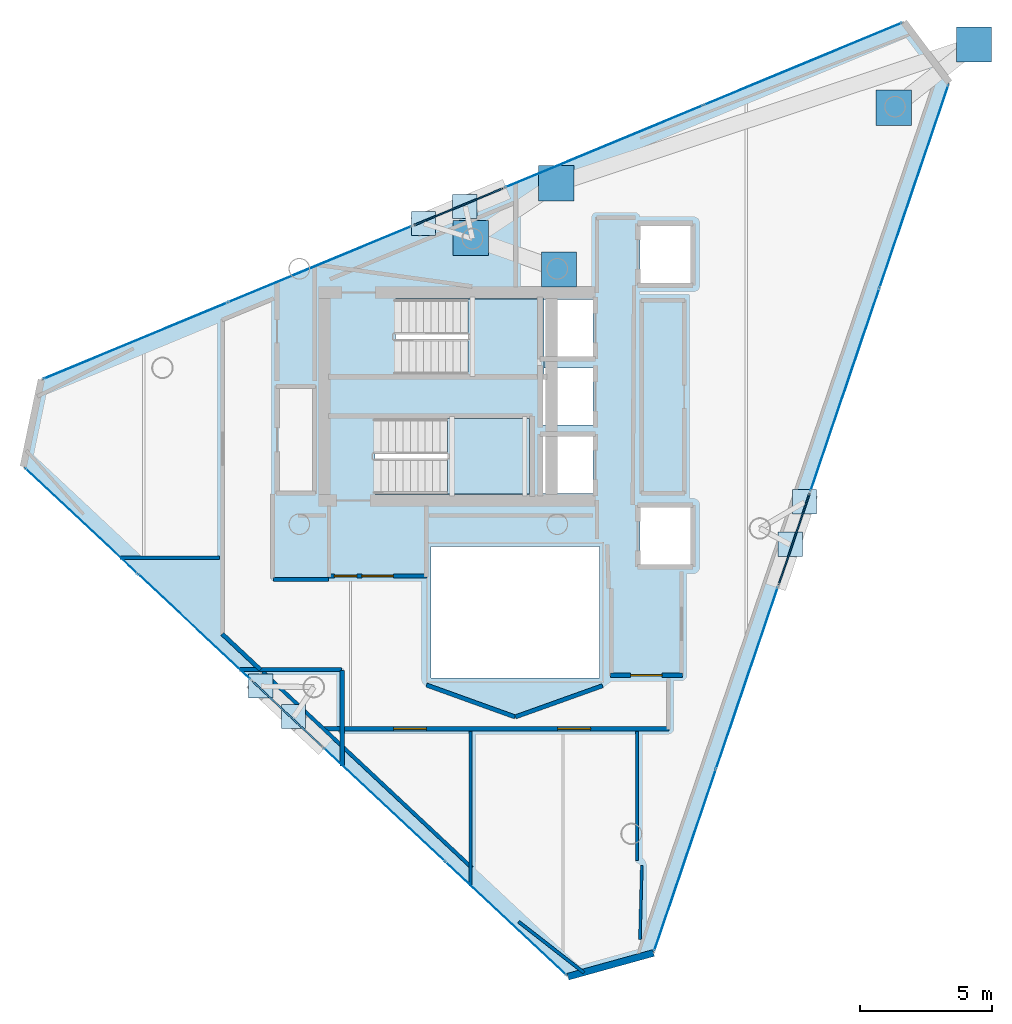
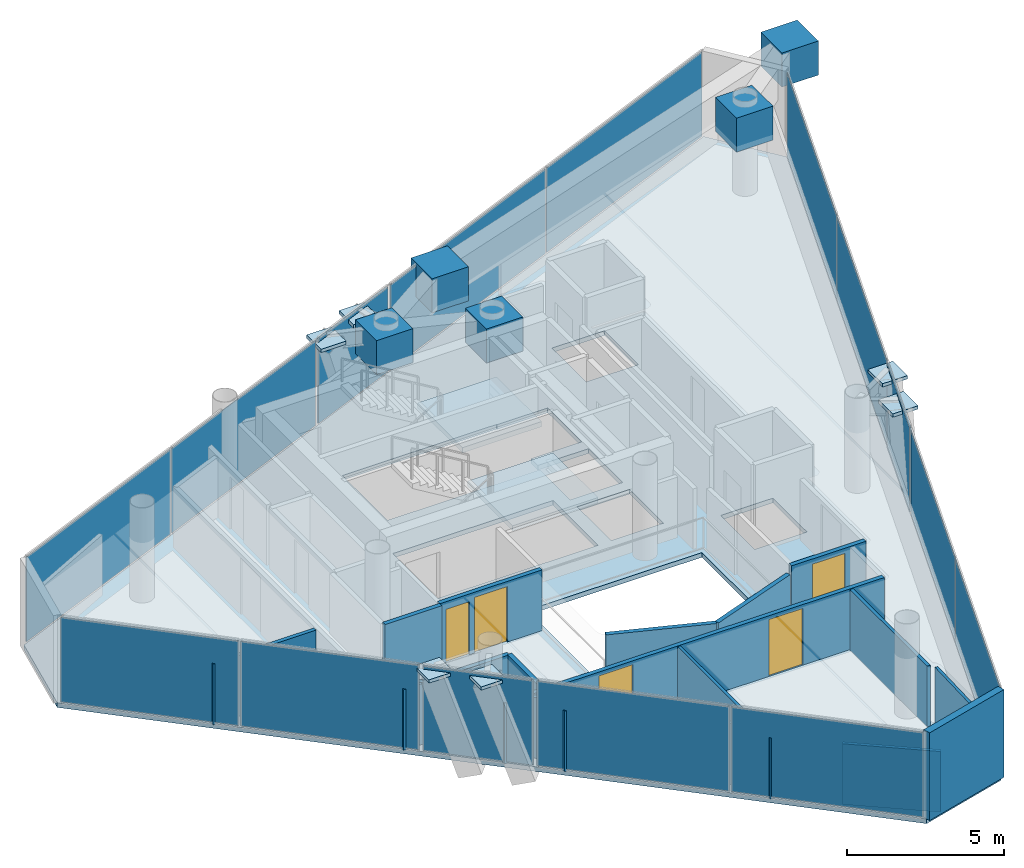
# One storey, part 14 of 18: 26 plates, 16 walls, 5 doors, 3 slabs, 5 openings, 11 elements without a shape of their own.
"""IFC4 building model written with IfcOpenShell, lengths in metres."""

from ifc_helpers import new_model, si_unit, direction, frame, frame_2d, origin, origin_2d, place, context, subcontext, project, spatial, polyline, rectangle, outline, extrude, material, layer, layer_set, type_object, element, fill, aggregate, save


model = new_model("IFC4")

# Units and contexts
model_context = context("Model", 3, precision=1e-05, world=origin(), true_north=direction((0.0, 1.0)))
body_context = subcontext(model_context, "Body", "Model", "MODEL_VIEW")
ifc_project = project(units=[si_unit("LENGTHUNIT", "METRE"), si_unit("AREAUNIT", "SQUARE_METRE"), si_unit("VOLUMEUNIT", "CUBIC_METRE"), si_unit("PLANEANGLEUNIT", "RADIAN"), si_unit("MASSUNIT", "GRAM", prefix="KILO")], contexts=[model_context])

# Site, building, storey
site_placement = place(None, origin())
site = spatial("IfcSite", under=ifc_project, at=site_placement, CompositionType="ELEMENT")
building_placement = place(site_placement, origin())
building = spatial("IfcBuilding", under=site, at=building_placement, Name="Qianvela Tower", CompositionType="ELEMENT")
storey_placement = place(building_placement, frame((0.0, 0.0, 348.10009765625)))
storey = spatial("IfcBuildingStorey", under=building, at=storey_placement, Name="L90", CompositionType="ELEMENT", Elevation=348.10009765625)

# Curtain wall, plate
ifc_material_1 = material(Name="Anodised Architectural Aluminium and Insulated Spandrel Panel", Category="aluminium")
ifc_layer_1 = layer(ifc_material_1, 0.179931640625)
ifc_layer_set_1 = layer_set([ifc_layer_1], Name="Anodised Architectural Aluminium and Insulated Spandrel Panel")
curtain_wall_type_1 = type_object("IfcCurtainWallType", Name="CW-BRACEBAY", PredefinedType="USERDEFINED", material=ifc_layer_set_1)
curtain_wall_1_placement = place(storey_placement, origin())
curtain_wall_1 = element("IfcCurtainWall", 1, at=curtain_wall_1_placement, inside=storey, type_object=curtain_wall_type_1, Name="L90 CW-BRACEBAY Curtain Wall 02B", ObjectType="CURTAIN_WALL_SYSTEM", PredefinedType="USERDEFINED")
ifc_material_2 = material(Name="Insulated Aluminium Spandrel Panel with Mineral-Wool Backpan", Category="aluminium")
ifc_layer_2 = layer(ifc_material_2, 0.06005859375)
ifc_layer_set_2 = layer_set([ifc_layer_2], Name="Insulated Aluminium Spandrel Panel with Mineral-Wool Backpan")
plate_type_1 = type_object("IfcPlateType", Name="CW-BRACEBAY-PNL", PredefinedType="CURTAIN_PANEL", material=ifc_layer_set_2)
plate_1_placement = place(storey_placement, frame((34.64599609375, 35.906494140625, 0.06494140625), z_axis=(0.0, 0.0, 1.0), x_axis=(-0.923693350552, -0.383132606476, 0.0)))
plate_1 = element("IfcPlate", 2, at=plate_1_placement, type_object=plate_type_1, Name="CW-9 panel 1.1", PredefinedType="CURTAIN_PANEL", context=body_context, shape_type="SweptSolid", body=[
    extrude(rectangle(XDim=3.639892578125, YDim=0.06005859375, at=origin_2d()), origin(), (0.0, 0.0, 1.0), 3.27001953125),
])
aggregate(curtain_wall_1, [plate_1])

curtain_wall_2_placement = place(storey_placement, origin())
curtain_wall_2 = element("IfcCurtainWall", 3, at=curtain_wall_2_placement, inside=storey, type_object=curtain_wall_type_1, Name="L90 CW-BRACEBAY Curtain Wall 04B", ObjectType="CURTAIN_WALL_SYSTEM", PredefinedType="USERDEFINED")
plate_2_placement = place(storey_placement, frame((28.1357421875, 16.654052734375, 0.06494140625), z_axis=(0.0, 0.0, 1.0), x_axis=(0.729930037475, -0.683521865336, 0.0)))
plate_2 = element("IfcPlate", 4, at=plate_2_placement, type_object=plate_type_1, Name="CW-9 panel 1.1", PredefinedType="CURTAIN_PANEL", context=body_context, shape_type="SweptSolid", body=[
    extrude(rectangle(XDim=3.599853515625, YDim=0.06005859375, at=origin_2d()), origin(), (0.0, 0.0, 1.0), 3.27001953125),
])
aggregate(curtain_wall_2, [plate_2])

curtain_wall_3_placement = place(storey_placement, origin())
curtain_wall_3 = element("IfcCurtainWall", 5, at=curtain_wall_3_placement, inside=storey, type_object=curtain_wall_type_1, Name="L90 CW-BRACEBAY Curtain Wall 06B", ObjectType="CURTAIN_WALL_SYSTEM", PredefinedType="USERDEFINED")
plate_3_placement = place(storey_placement, frame((47.39453125, 23.279296875, 0.06494140625), z_axis=(0.0, 0.0, 1.0), x_axis=(0.321714442943, 0.946836742634, 0.0)))
plate_3 = element("IfcPlate", 6, at=plate_3_placement, type_object=plate_type_1, Name="CW-9 panel 1.1", PredefinedType="CURTAIN_PANEL", context=body_context, shape_type="SweptSolid", body=[
    extrude(rectangle(XDim=3.650146484375, YDim=0.06005859375, at=origin_2d()), origin(), (0.0, 0.0, 1.0), 3.27001953125),
])
aggregate(curtain_wall_3, [plate_3])

# Curtain wall, plates
ifc_material_3 = material(Name="Anodised Architectural Aluminium and Low-E Glass", Category="aluminium")
ifc_layer_3 = layer(ifc_material_3, 0.14990234375)
ifc_layer_set_3 = layer_set([ifc_layer_3], Name="Anodised Architectural Aluminium and Low-E Glass")
curtain_wall_type_2 = type_object("IfcCurtainWallType", Name="CW-COLIV-Z78", PredefinedType="USERDEFINED", material=ifc_layer_set_3)
curtain_wall_4_placement = place(storey_placement, origin())
curtain_wall_4 = element("IfcCurtainWall", 7, at=curtain_wall_4_placement, inside=storey, type_object=curtain_wall_type_2, Name="L90 CW-COLIV-Z78 Curtain Wall 02A", ObjectType="CURTAIN_WALL_SYSTEM", PredefinedType="USERDEFINED")
ifc_material_4 = material(Name="Double-Silver Low-E Insulated Glass", Category="glass")
ifc_layer_4 = layer(ifc_material_4, 0.02587890625)
ifc_layer_set_4 = layer_set([ifc_layer_4], Name="Double-Silver Low-E Insulated Glass")
plate_type_2 = type_object("IfcPlateType", Name="CW-COLIV-Z78-PNL", PredefinedType="CURTAIN_PANEL", material=ifc_layer_set_4)
plate_4_placement = place(storey_placement, frame((47.720947265625, 41.329345703125, 0.06005859375), z_axis=(0.0, 0.0, 1.0), x_axis=(-0.923701015617, -0.383114126271, 0.0)))
plate_4 = element("IfcPlate", 8, at=plate_4_placement, type_object=plate_type_2, Name="CW-6 panel 1.1", PredefinedType="CURTAIN_PANEL", context=body_context, shape_type="SweptSolid", body=[
    extrude(rectangle(XDim=8.10009765625, YDim=0.02587890625, at=origin_2d()), origin(), (0.0, 0.0, 1.0), 3.280029296875),
])
plate_5_placement = place(storey_placement, frame((40.18359375, 38.203125, 0.06005859375), z_axis=(0.0, 0.0, 1.0), x_axis=(-0.923701015617, -0.383114126271, 0.0)))
plate_5 = element("IfcPlate", 9, at=plate_5_placement, type_object=plate_type_2, Name="CW-6 panel 2.1", PredefinedType="CURTAIN_PANEL", context=body_context, shape_type="SweptSolid", body=[
    extrude(rectangle(XDim=8.10009765625, YDim=0.02587890625, at=origin_2d()), origin(), (0.0, 0.0, 1.0), 3.280029296875),
])
aggregate(curtain_wall_4, [plate_4, plate_5])

curtain_wall_5_placement = place(storey_placement, origin())
curtain_wall_5 = element("IfcCurtainWall", 10, at=curtain_wall_5_placement, inside=storey, type_object=curtain_wall_type_2, Name="L90 CW-COLIV-Z78 Curtain Wall 02C", ObjectType="CURTAIN_WALL_SYSTEM", PredefinedType="USERDEFINED")
plate_6_placement = place(storey_placement, frame((29.376953125, 33.720947265625, 0.06005859375), z_axis=(0.0, 0.0, 1.0), x_axis=(-0.923700596554, -0.383115136645, 0.0)))
plate_6 = element("IfcPlate", 11, at=plate_6_placement, type_object=plate_type_2, Name="CW-6 panel 1.1", PredefinedType="CURTAIN_PANEL", context=body_context, shape_type="SweptSolid", body=[
    extrude(rectangle(XDim=7.518310546875, YDim=0.02587890625, at=origin_2d()), origin(), (0.0, 0.0, 1.0), 3.280029296875),
])
plate_7_placement = place(storey_placement, frame((22.376708984375, 30.817626953125, 0.06005859375), z_axis=(0.0, 0.0, 1.0), x_axis=(-0.923700596554, -0.383115136645, 0.0)))
plate_7 = element("IfcPlate", 12, at=plate_7_placement, type_object=plate_type_2, Name="CW-6 panel 2.1", PredefinedType="CURTAIN_PANEL", context=body_context, shape_type="SweptSolid", body=[
    extrude(rectangle(XDim=7.518310546875, YDim=0.02587890625, at=origin_2d()), origin(), (0.0, 0.0, 1.0), 3.280029296875),
])
aggregate(curtain_wall_5, [plate_6, plate_7])

curtain_wall_6_placement = place(storey_placement, origin())
curtain_wall_6 = element("IfcCurtainWall", 13, at=curtain_wall_6_placement, inside=storey, type_object=curtain_wall_type_2, Name="L90 CW-COLIV-Z78 Curtain Wall 04A", ObjectType="CURTAIN_WALL_SYSTEM", PredefinedType="USERDEFINED")
plate_8_placement = place(storey_placement, frame((20.320068359375, 23.972900390625, 0.06005859375), z_axis=(0.0, 0.0, 1.0), x_axis=(0.729922609591, -0.683529797455, 0.0)))
plate_8 = element("IfcPlate", 14, at=plate_8_placement, type_object=plate_type_2, Name="CW-6 panel 1.1", PredefinedType="CURTAIN_PANEL", context=body_context, shape_type="SweptSolid", body=[
    extrude(rectangle(XDim=5.81494140625, YDim=0.02587890625, at=origin_2d()), origin(), (0.0, 0.0, 1.0), 3.280029296875),
])
plate_9_placement = place(storey_placement, frame((24.6083984375, 19.957275390625, 0.06005859375), z_axis=(0.0, 0.0, 1.0), x_axis=(0.729922609591, -0.683529797455, 0.0)))
plate_9 = element("IfcPlate", 15, at=plate_9_placement, type_object=plate_type_2, Name="CW-6 panel 2.1", PredefinedType="CURTAIN_PANEL", context=body_context, shape_type="SweptSolid", body=[
    extrude(rectangle(XDim=5.81494140625, YDim=0.02587890625, at=origin_2d()), origin(), (0.0, 0.0, 1.0), 3.280029296875),
])
aggregate(curtain_wall_6, [plate_8, plate_9])

curtain_wall_7_placement = place(storey_placement, origin())
curtain_wall_7 = element("IfcCurtainWall", 16, at=curtain_wall_7_placement, inside=storey, type_object=curtain_wall_type_2, Name="L90 CW-COLIV-Z78 Curtain Wall 04C", ObjectType="CURTAIN_WALL_SYSTEM", PredefinedType="USERDEFINED")
plate_10_placement = place(storey_placement, frame((31.826171875, 13.1982421875, 0.06005859375), z_axis=(0.0, 0.0, 1.0), x_axis=(0.729919534534, -0.683533081208, 0.0)))
plate_10 = element("IfcPlate", 17, at=plate_10_placement, type_object=plate_type_2, Name="CW-6 panel 1.1", PredefinedType="CURTAIN_PANEL", context=body_context, shape_type="SweptSolid", body=[
    extrude(rectangle(XDim=6.261962890625, YDim=0.02587890625, at=origin_2d()), origin(), (0.0, 0.0, 1.0), 3.280029296875),
])
plate_11_placement = place(storey_placement, frame((36.44091796875, 8.876953125, 0.06005859375), z_axis=(0.0, 0.0, 1.0), x_axis=(0.729919534534, -0.683533081208, 0.0)))
plate_11 = element("IfcPlate", 18, at=plate_11_placement, type_object=plate_type_2, Name="CW-6 panel 2.1", PredefinedType="CURTAIN_PANEL", context=body_context, shape_type="SweptSolid", body=[
    extrude(rectangle(XDim=6.261962890625, YDim=0.02587890625, at=origin_2d()), origin(), (0.0, 0.0, 1.0), 3.280029296875),
])
aggregate(curtain_wall_7, [plate_10, plate_11])

curtain_wall_8_placement = place(storey_placement, origin())
curtain_wall_8 = element("IfcCurtainWall", 19, at=curtain_wall_8_placement, inside=storey, type_object=curtain_wall_type_2, Name="L90 CW-COLIV-Z78 Curtain Wall 06A", ObjectType="CURTAIN_WALL_SYSTEM", PredefinedType="USERDEFINED")
plate_12_placement = place(storey_placement, frame((43.254150390625, 11.093505859375, 0.06005859375), z_axis=(0.0, 0.0, 1.0), x_axis=(0.321719049003, 0.946835177583, 0.0)))
plate_12 = element("IfcPlate", 20, at=plate_12_placement, type_object=plate_type_2, Name="CW-6 panel 1.1", PredefinedType="CURTAIN_PANEL", context=body_context, shape_type="SweptSolid", body=[
    extrude(rectangle(XDim=7.239990234375, YDim=0.02587890625, at=origin_2d()), origin(), (0.0, 0.0, 1.0), 3.280029296875),
])
plate_13_placement = place(storey_placement, frame((45.602783203125, 18.00537109375, 0.06005859375), z_axis=(0.0, 0.0, 1.0), x_axis=(0.321719049003, 0.946835177583, 0.0)))
plate_13 = element("IfcPlate", 21, at=plate_13_placement, type_object=plate_type_2, Name="CW-6 panel 2.1", PredefinedType="CURTAIN_PANEL", context=body_context, shape_type="SweptSolid", body=[
    extrude(rectangle(XDim=7.239990234375, YDim=0.02587890625, at=origin_2d()), origin(), (0.0, 0.0, 1.0), 3.280029296875),
])
aggregate(curtain_wall_8, [plate_12, plate_13])

curtain_wall_9_placement = place(storey_placement, origin())
curtain_wall_9 = element("IfcCurtainWall", 22, at=curtain_wall_9_placement, inside=storey, type_object=curtain_wall_type_2, Name="L90 CW-COLIV-Z78 Curtain Wall 06C", ObjectType="CURTAIN_WALL_SYSTEM", PredefinedType="USERDEFINED")
plate_14_placement = place(storey_placement, frame((49.32470703125, 28.959716796875, 0.06005859375), z_axis=(0.0, 0.0, 1.0), x_axis=(0.321719594159, 0.946834992348, 0.0)))
plate_14 = element("IfcPlate", 23, at=plate_14_placement, type_object=plate_type_2, Name="CW-6 panel 1.1", PredefinedType="CURTAIN_PANEL", context=body_context, shape_type="SweptSolid", body=[
    extrude(rectangle(XDim=8.098876953125, YDim=0.02587890625, at=origin_2d()), origin(), (0.0, 0.0, 1.0), 3.280029296875),
])
plate_15_placement = place(storey_placement, frame((51.94970703125, 36.684814453125, 0.06005859375), z_axis=(0.0, 0.0, 1.0), x_axis=(0.321719594159, 0.946834992348, 0.0)))
plate_15 = element("IfcPlate", 24, at=plate_15_placement, type_object=plate_type_2, Name="CW-6 panel 2.1", PredefinedType="CURTAIN_PANEL", context=body_context, shape_type="SweptSolid", body=[
    extrude(rectangle(XDim=8.098876953125, YDim=0.02587890625, at=origin_2d()), origin(), (0.0, 0.0, 1.0), 3.280029296875),
])
aggregate(curtain_wall_9, [plate_14, plate_15])

# Plates
ifc_material_5 = material(Name="Steel Q420GJC", Category="steel")
ifc_layer_5 = layer(ifc_material_5, 0.1298828125)
ifc_layer_set_5 = layer_set([ifc_layer_5], Name="Steel Q420GJC")
plate_type_3 = type_object("IfcPlateType", Name="PT-ENDCAP-130", PredefinedType="USERDEFINED", material=ifc_layer_set_5)
for number, where, z_axis, x_axis, name in (
    (25, (34.885009765625, 35.9189453125, 3.089111328125), (0.0, 0.0, 1.0), (1.0, 0.0, 0.0), "L90 Hollow Section End Cap Plate B"),
    (26, (33.3125, 35.2666015625, 3.08935546875), (0.0, 0.0, 1.0), (1.0, 0.0, 0.0), "L90 Hollow Section End Cap Plate B"),
    (27, (27.131103515625, 17.704345703125, 3.089599609375), (0.0, 0.0, 1.0), (1.0, 0.0, 0.0), "L90 Hollow Section End Cap Plate B"),
    (28, (28.373779296875, 16.541015625, 3.08935546875), (0.0, 0.0, 1.0), (1.0, 0.0, 0.0), "L90 Hollow Section End Cap Plate B"),
    (29, (47.24560546875, 23.089599609375, 3.089111328125), (0.0, 0.0, 1.0), (1.0, 0.0, 0.0), "L90 Hollow Section End Cap Plate B"),
    (30, (47.79345703125, 24.701416015625, 3.08935546875), (0.0, 0.0, 1.0), (1.0, 0.0, 0.0), "L90 Hollow Section End Cap Plate B"),
):
    element("IfcPlate", number, at=place(storey_placement, frame(where, z_axis=z_axis, x_axis=x_axis)), inside=storey, type_object=plate_type_3, Name=name, ObjectType="END_CAP", PredefinedType="USERDEFINED", context=body_context, shape_type="SweptSolid", body=[
        extrude(rectangle(XDim=0.919921875, YDim=0.919921875, at=origin_2d()), origin(), (0.0, 0.0, 1.0), 0.1298828125),
    ])
ifc_material_6 = material(Name="Steel Q420GJC", Category="steel")
ifc_layer_6 = layer(ifc_material_6, 0.139892578125)
ifc_layer_set_6 = layer_set([ifc_layer_6], Name="Steel Q420GJC")
plate_type_4 = type_object("IfcPlateType", Name="PT-GUSSET-NODE-140", PredefinedType="USERDEFINED", material=ifc_layer_set_6)
for number, where, z_axis, x_axis, name in (
    (31, (51.17578125, 39.667724609375, 2.1376953125), (0.0, 0.0, 1.0), (1.0, 0.0, 0.0), "L90 Node Gusset Plate A"),
    (32, (54.224853515625, 42.0673828125, 2.1376953125), (0.0, 0.0, 1.0), (1.0, 0.0, 0.0), "L90 Node Gusset Plate B"),
    (33, (38.461181640625, 33.5283203125, 2.1376953125), (0.0, 0.0, 1.0), (1.0, 0.0, 0.0), "L90 Node Gusset Plate A"),
    (34, (35.11572265625, 34.716796875, 2.1376953125), (0.0, 0.0, 1.0), (1.0, 0.0, 0.0), "L90 Node Gusset Plate B"),
    (35, (38.360107421875, 36.7978515625, 2.1376953125), (0.0, 0.0, 1.0), (1.0, 0.0, 0.0), "L90 Node Gusset Plate B"),
):
    element("IfcPlate", number, at=place(storey_placement, frame(where, z_axis=z_axis, x_axis=x_axis)), inside=storey, type_object=plate_type_4, Name=name, ObjectType="GUSSET_PLATE", PredefinedType="USERDEFINED", context=body_context, shape_type="SweptSolid", body=[
        extrude(rectangle(XDim=1.340087890625, YDim=1.340087890625, at=origin_2d()), origin(), (0.0, 0.0, 1.0), 1.320068359375),
    ])

# Slab
ifc_material_7 = material(Name="Concrete C40", Category="concrete")
ifc_layer_7 = layer(ifc_material_7, 0.179931640625)
ifc_layer_set_7 = layer_set([ifc_layer_7], Name="Concrete C40")
slab_type_1 = type_object("IfcSlabType", Name="SL-FLOOR-180", PredefinedType="FLOOR", material=ifc_layer_set_7)
slab_1_placement = place(storey_placement, frame((0.0, 0.0, -0.18017578125)))
element("IfcSlab", 36, at=slab_1_placement, inside=storey, type_object=slab_type_1, Name="L90 Composite Structural Floor Slab", PredefinedType="FLOOR", context=body_context, shape_type="SweptSolid", body=[
    extrude(outline(polyline([(53.287841796875, 40.623046875), (51.5634765625, 42.923095703125), (18.802734375, 29.335205078125), (18.117431640625, 26.03564453125), (38.806396484375, 6.66162109375), (42.05419921875, 7.561767578125), (53.287841796875, 40.623046875)]), holes=[polyline([(40.0, 23.0), (33.60009765625, 23.0), (33.60009765625, 18.0), (40.0, 18.0), (40.0, 23.0)]), polyline([(43.4599609375, 24.47998046875), (41.5400390625, 24.47998046875), (41.5400390625, 22.320068359375), (43.4599609375, 22.320068359375), (43.4599609375, 24.47998046875)]), polyline([(39.760009765625, 27.179931640625), (37.840087890625, 27.179931640625), (37.840087890625, 25.02001953125), (39.760009765625, 25.02001953125), (39.760009765625, 27.179931640625)]), polyline([(37.35009765625, 27.860107421875), (31.469970703125, 27.860107421875), (31.469970703125, 25.0), (37.35009765625, 25.0), (37.35009765625, 27.860107421875)]), polyline([(39.760009765625, 27.6201171875), (39.760009765625, 29.780029296875), (37.89990234375, 29.780029296875), (37.89990234375, 30.219970703125), (39.760009765625, 30.219970703125), (39.760009765625, 32.3798828125), (37.89990234375, 32.3798828125), (37.89990234375, 32.39990234375), (32.25, 32.39990234375), (32.25, 29.5400390625), (37.840087890625, 29.5400390625), (37.840087890625, 27.6201171875), (39.760009765625, 27.6201171875)]), polyline([(43.4599609375, 35.179931640625), (41.5400390625, 35.179931640625), (41.5400390625, 33.02001953125), (43.4599609375, 33.02001953125), (43.4599609375, 35.179931640625)])]), origin(), (0.0, 0.0, 1.0), 0.18017578125),
])

# Stair, slab
ifc_material_8 = material(Name="Concrete C40", Category="concrete")
stair_type = type_object("IfcStairType", Name="ST-DOGLEG-1350-R168-N22", PredefinedType="HALF_TURN_STAIR", material=ifc_material_8)
stair_1_placement = place(storey_placement, origin())
stair_1 = element("IfcStair", 37, at=stair_1_placement, inside=storey, type_object=stair_type, Name="L90 Smoke-Proof Core Stair ST-1", PredefinedType="HALF_TURN_STAIR")
ifc_material_9 = material(Name="Concrete C40", Category="concrete")
ifc_layer_8 = layer(ifc_material_9, 0.199951171875)
ifc_layer_set_8 = layer_set([ifc_layer_8], Name="Concrete C40")
slab_type_2 = type_object("IfcSlabType", Name="SL-STAIR-LANDING-200", PredefinedType="LANDING", material=ifc_layer_set_8)
slab_2_placement = place(storey_placement, frame((0.0, 0.0, 1.64990234375)))
slab_2 = element("IfcSlab", 38, at=slab_2_placement, type_object=slab_type_2, Name="ST-1 landing 1", PredefinedType="LANDING", context=body_context, shape_type="SweptSolid", body=[
    extrude(outline(polyline([(35.0, 29.5400390625), (37.89990234375, 29.5400390625), (37.89990234375, 32.39990234375), (35.0, 32.39990234375), (35.0, 29.5400390625)])), origin(), (0.0, 0.0, 1.0), 0.199951171875),
])
aggregate(stair_1, [slab_2])

stair_2_placement = place(storey_placement, origin())
stair_2 = element("IfcStair", 39, at=stair_2_placement, inside=storey, type_object=stair_type, Name="L90 Smoke-Proof Core Stair ST-2", PredefinedType="HALF_TURN_STAIR")
slab_3_placement = place(storey_placement, frame((0.0, 0.0, 1.64990234375)))
slab_3 = element("IfcSlab", 40, at=slab_3_placement, type_object=slab_type_2, Name="ST-2 landing 1", PredefinedType="LANDING", context=body_context, shape_type="SweptSolid", body=[
    extrude(outline(polyline([(34.219970703125, 25.0), (37.35009765625, 25.0), (37.35009765625, 27.860107421875), (34.219970703125, 27.860107421875), (34.219970703125, 25.0)])), origin(), (0.0, 0.0, 1.0), 0.199951171875),
])
aggregate(stair_2, [slab_3])

# Wall
ifc_material_10 = material(Name="Terracotta Cladding on Concrete C40", Category="masonry")
ifc_layer_9 = layer(ifc_material_10, 0.260009765625)
ifc_layer_set_9 = layer_set([ifc_layer_9], Name="Terracotta Cladding on Concrete C40")
wall_type_1 = type_object("IfcWallType", Name="TERRACOTTA-WALL-260", PredefinedType="SOLIDWALL", material=ifc_layer_set_9)
wall_1_placement = place(storey_placement, frame((38.806396484375, 6.66162109375, 0.0), z_axis=(0.0, 0.0, 1.0), x_axis=(0.963672384833, 0.267087129435, 0.0)))
element("IfcWall", 41, at=wall_1_placement, inside=storey, type_object=wall_type_1, Name="L90 Terracotta Chamfer Facet Wall 5", PredefinedType="SOLIDWALL", context=body_context, shape_type="SweptSolid", body=[
    extrude(rectangle(XDim=3.3701171875, YDim=0.260009765625, at=frame_2d((1.68505859375, 0.0))), origin(), (0.0, 0.0, 1.0), 3.39990234375),
])

# Wall, openings, doors
ifc_material_11 = material(Name="Fire-Rated Gypsum and Concrete Block", Category="concrete")
ifc_layer_10 = layer(ifc_material_11, 0.159912109375)
ifc_layer_set_10 = layer_set([ifc_layer_10], Name="Fire-Rated Gypsum and Concrete Block")
wall_type_2 = type_object("IfcWallType", Name="WT-CORR-160", PredefinedType="PARTITIONING", material=ifc_layer_set_10)
wall_2_placement = place(storey_placement, frame((33.449951171875, 21.881103515625, 0.0), z_axis=(0.0, 0.0, 1.0), x_axis=(-1.0, 0.0, 0.0)))
wall_2 = element("IfcWall", 42, at=wall_2_placement, inside=storey, type_object=wall_type_2, Name="L90 Partition 4", PredefinedType="PARTITIONING", context=body_context, shape_type="SweptSolid", body=[
    extrude(rectangle(XDim=3.75, YDim=0.159912109375, at=frame_2d((1.875, 0.0))), origin(), (0.0, 0.0, 1.0), 2.349853515625),
])
opening_1_placement = place(wall_2_placement, frame((1.27490234375, 0.0, 0.0)))
opening_1 = element("IfcOpeningElement", 43, at=opening_1_placement, cuts=wall_2, Name="Opening D-LB1", PredefinedType="OPENING", context=body_context, shape_type="SweptSolid", body=[
    extrude(rectangle(XDim=1.199951171875, YDim=2.14990234375, at=frame_2d((0.60009765625, 1.074951171875))), frame((0.0, 0.08984375, 0.0), z_axis=(0.0, -1.0, 0.0), x_axis=(1.0, 0.0, 0.0)), (0.0, 0.0, 1.0), 0.179931640625),
])
opening_2_placement = place(wall_2_placement, frame((2.659912109375, 0.0, 0.0)))
opening_2 = element("IfcOpeningElement", 44, at=opening_2_placement, cuts=wall_2, Name="Opening D-LB2", PredefinedType="OPENING", context=body_context, shape_type="SweptSolid", body=[
    extrude(rectangle(XDim=0.860107421875, YDim=2.050048828125, at=frame_2d((0.43017578125, 1.02490234375))), frame((0.0, 0.08984375, 0.0), z_axis=(0.0, -1.0, 0.0), x_axis=(1.0, 0.0, 0.0)), (0.0, 0.0, 1.0), 0.179931640625),
])
ifc_material_12 = material(Name="Glazed Fire-Rated Steel Frame", Category="steel")
door_type_1 = type_object("IfcDoorType", Name="DT-LOBBY-FD90", OperationType="NOTDEFINED", PredefinedType="DOOR", material=ifc_material_12)
door_1_placement = place(opening_1_placement, origin())
door_1 = element("IfcDoor", 45, at=door_1_placement, inside=storey, type_object=door_type_1, Name="L90 Door L90 Firefighting Lobby South to L90 Floor Corridor", OperationType="SINGLE_SWING_RIGHT", OverallHeight=2.14990234375, OverallWidth=1.199951171875, PredefinedType="DOOR", context=body_context, shape_type="SweptSolid", body=[
    extrude(rectangle(XDim=1.199951171875, YDim=2.14990234375, at=frame_2d((0.60009765625, 1.074951171875))), frame((0.0, 0.02490234375, 0.0), z_axis=(0.0, -1.0, 0.0), x_axis=(1.0, 0.0, 0.0)), (0.0, 0.0, 1.0), 0.050048828125),
])
fill(opening_1, door_1)
ifc_material_13 = material(Name="Insulated Steel Fire Door Q355B", Category="steel")
door_type_2 = type_object("IfcDoorType", Name="DT-LOBBY-FD90-860", OperationType="NOTDEFINED", PredefinedType="DOOR", material=ifc_material_13)
door_2_placement = place(opening_2_placement, origin())
door_2 = element("IfcDoor", 46, at=door_2_placement, inside=storey, type_object=door_type_2, Name="L90 Door L90 Firefighting Lobby South to L90 Floor Corridor", OperationType="SINGLE_SWING_RIGHT", OverallHeight=2.050048828125, OverallWidth=0.860107421875, PredefinedType="DOOR", context=body_context, shape_type="SweptSolid", body=[
    extrude(rectangle(XDim=0.860107421875, YDim=2.050048828125, at=frame_2d((0.43017578125, 1.02490234375))), frame((0.0, 0.02490234375, 0.0), z_axis=(0.0, -1.0, 0.0), x_axis=(1.0, 0.0, 0.0)), (0.0, 0.0, 1.0), 0.050048828125),
])
fill(opening_2, door_2)

# Wall, opening, door
wall_3_placement = place(storey_placement, frame((43.14990234375, 18.111083984375, 0.0), z_axis=(0.0, 0.0, 1.0), x_axis=(-1.0, 0.0, 0.0)))
wall_3 = element("IfcWall", 47, at=wall_3_placement, inside=storey, type_object=wall_type_2, Name="L90 Partition 16", PredefinedType="PARTITIONING", context=body_context, shape_type="SweptSolid", body=[
    extrude(rectangle(XDim=2.72998046875, YDim=0.159912109375, at=frame_2d((1.364990234375, 0.0))), origin(), (0.0, 0.0, 1.0), 2.349853515625),
])
opening_3_placement = place(wall_3_placement, frame((0.764892578125, 0.0, 0.0)))
opening_3 = element("IfcOpeningElement", 48, at=opening_3_placement, cuts=wall_3, Name="Opening D-LB1", PredefinedType="OPENING", context=body_context, shape_type="SweptSolid", body=[
    extrude(rectangle(XDim=1.199951171875, YDim=2.14990234375, at=frame_2d((0.60009765625, 1.074951171875))), frame((0.0, 0.08984375, 0.0), z_axis=(0.0, -1.0, 0.0), x_axis=(1.0, 0.0, 0.0)), (0.0, 0.0, 1.0), 0.179931640625),
])
door_3_placement = place(opening_3_placement, origin())
door_3 = element("IfcDoor", 49, at=door_3_placement, inside=storey, type_object=door_type_1, Name="L90 Door L90 Lift Lobby to L90 Floor Corridor", OperationType="SINGLE_SWING_LEFT", OverallHeight=2.14990234375, OverallWidth=1.199951171875, PredefinedType="DOOR", context=body_context, shape_type="SweptSolid", body=[
    extrude(rectangle(XDim=1.199951171875, YDim=2.14990234375, at=frame_2d((0.60009765625, 1.074951171875))), frame((0.0, 0.02490234375, 0.0), z_axis=(0.0, -1.0, 0.0), x_axis=(1.0, 0.0, 0.0)), (0.0, 0.0, 1.0), 0.050048828125),
])
fill(opening_3, door_3)

# Walls
wall_4_placement = place(storey_placement, frame((33.433837890625, 17.738037109375, 0.0), z_axis=(0.0, 0.0, 1.0), x_axis=(0.940782662834, -0.339010296764, 0.0)))
element("IfcWall", 50, at=wall_4_placement, inside=storey, type_object=wall_type_2, Name="L90 Partition 44", PredefinedType="PARTITIONING", context=body_context, shape_type="SweptSolid", body=[
    extrude(rectangle(XDim=3.56689453125, YDim=0.159912109375, at=frame_2d((1.783447265625, 0.0))), origin(), (0.0, 0.0, 1.0), 2.349853515625),
])
wall_5_placement = place(storey_placement, frame((36.810302734375, 16.52880859375, 0.0), z_axis=(0.0, 0.0, 1.0), x_axis=(0.941548344365, 0.33687789364, 0.0)))
element("IfcWall", 51, at=wall_5_placement, inside=storey, type_object=wall_type_2, Name="L90 Partition 45", PredefinedType="PARTITIONING", context=body_context, shape_type="SweptSolid", body=[
    extrude(rectangle(XDim=3.5126953125, YDim=0.159912109375, at=frame_2d((1.75634765625, 0.0))), origin(), (0.0, 0.0, 1.0), 2.349853515625),
])

# Wall, openings, doors
wall_6_placement = place(storey_placement, frame((42.64990234375, 16.0810546875, 0.0), z_axis=(0.0, 0.0, 1.0), x_axis=(-1.0, 0.0, 0.0)))
wall_6 = element("IfcWall", 52, at=wall_6_placement, inside=storey, type_object=wall_type_2, Name="L90 Partition 48", PredefinedType="PARTITIONING", context=body_context, shape_type="SweptSolid", body=[
    extrude(rectangle(XDim=13.922119140625, YDim=0.159912109375, at=frame_2d((6.9609375, 0.0))), origin(), (0.0, 0.0, 1.0), 2.349853515625),
])
opening_4_placement = place(wall_6_placement, frame((9.220947265625, 0.0, 0.0)))
opening_4 = element("IfcOpeningElement", 53, at=opening_4_placement, cuts=wall_6, Name="Opening D-LG1", PredefinedType="OPENING", context=body_context, shape_type="SweptSolid", body=[
    extrude(rectangle(XDim=1.25, YDim=2.199951171875, at=frame_2d((0.625, 1.10009765625))), frame((0.0, 0.08984375, 0.0), z_axis=(0.0, -1.0, 0.0), x_axis=(1.0, 0.0, 0.0)), (0.0, 0.0, 1.0), 0.179931640625),
])
opening_5_placement = place(wall_6_placement, frame((2.985595703125, 0.0, 0.0)))
opening_5 = element("IfcOpeningElement", 54, at=opening_5_placement, cuts=wall_6, Name="Opening D-LG1", PredefinedType="OPENING", context=body_context, shape_type="SweptSolid", body=[
    extrude(rectangle(XDim=1.25, YDim=2.199951171875, at=frame_2d((0.625, 1.10009765625))), frame((0.0, 0.08984375, 0.0), z_axis=(0.0, -1.0, 0.0), x_axis=(1.0, 0.0, 0.0)), (0.0, 0.0, 1.0), 0.179931640625),
])
ifc_material_14 = material(Name="Anodised Aluminium Acoustic Glass Door", Category="aluminium")
door_type_3 = type_object("IfcDoorType", Name="DT-LOUNGE-1250", OperationType="NOTDEFINED", PredefinedType="DOOR", material=ifc_material_14)
door_4_placement = place(opening_4_placement, origin())
door_4 = element("IfcDoor", 55, at=door_4_placement, inside=storey, type_object=door_type_3, Name="L90 Door Maker Craft Workshop L90-01 to L90 Floor Corridor", OperationType="SINGLE_SWING_LEFT", OverallHeight=2.199951171875, OverallWidth=1.25, PredefinedType="DOOR", context=body_context, shape_type="SweptSolid", body=[
    extrude(rectangle(XDim=1.25, YDim=2.199951171875, at=frame_2d((0.625, 1.10009765625))), frame((0.0, 0.02490234375, 0.0), z_axis=(0.0, -1.0, 0.0), x_axis=(1.0, 0.0, 0.0)), (0.0, 0.0, 1.0), 0.050048828125),
])
fill(opening_4, door_4)
door_5_placement = place(opening_5_placement, origin())
door_5 = element("IfcDoor", 56, at=door_5_placement, inside=storey, type_object=door_type_3, Name="L90 Door Student Reading Library L90-02 to L90 Floor Corridor", OperationType="SINGLE_SWING_RIGHT", OverallHeight=2.199951171875, OverallWidth=1.25, PredefinedType="DOOR", context=body_context, shape_type="SweptSolid", body=[
    extrude(rectangle(XDim=1.25, YDim=2.199951171875, at=frame_2d((0.625, 1.10009765625))), frame((0.0, 0.02490234375, 0.0), z_axis=(0.0, -1.0, 0.0), x_axis=(1.0, 0.0, 0.0)), (0.0, 0.0, 1.0), 0.050048828125),
])
fill(opening_5, door_5)

# Walls
wall_7_placement = place(storey_placement, frame((30.23095703125, 14.672119140625, 0.0), z_axis=(0.0, 0.0, 1.0), x_axis=(0.0, 1.0, 0.0)))
element("IfcWall", 57, at=wall_7_placement, inside=storey, type_object=wall_type_2, Name="L90 Partition 49", PredefinedType="PARTITIONING", context=body_context, shape_type="SweptSolid", body=[
    extrude(rectangle(XDim=3.6279296875, YDim=0.159912109375, at=frame_2d((1.81396484375, 0.0))), origin(), (0.0, 0.0, 1.0), 2.349853515625),
])
wall_8_placement = place(storey_placement, frame((30.199951171875, 18.3310546875, 0.0), z_axis=(0.0, 0.0, 1.0), x_axis=(-1.0, 0.0, 0.0)))
element("IfcWall", 58, at=wall_8_placement, inside=storey, type_object=wall_type_2, Name="L90 Partition 50", PredefinedType="PARTITIONING", context=body_context, shape_type="SweptSolid", body=[
    extrude(rectangle(XDim=3.875, YDim=0.159912109375, at=frame_2d((1.9375, 0.0))), origin(), (0.0, 0.0, 1.0), 2.349853515625),
])
wall_9_placement = place(storey_placement, frame((27.12353515625, 18.322509765625, 0.0), z_axis=(0.0, 0.0, 1.0), x_axis=(-0.729915892472, 0.683536970409, 0.0)))
element("IfcWall", 59, at=wall_9_placement, inside=storey, type_object=wall_type_2, Name="L90 Partition 51", PredefinedType="PARTITIONING", context=body_context, shape_type="SweptSolid", body=[
    extrude(rectangle(XDim=1.98974609375, YDim=0.159912109375, at=frame_2d((0.994873046875, 0.0))), origin(), (0.0, 0.0, 1.0), 2.349853515625),
])
wall_10_placement = place(storey_placement, frame((27.6201171875, 21.7490234375, 0.0), z_axis=(0.0, 0.0, 1.0), x_axis=(1.0, 0.0, 0.0)))
element("IfcWall", 60, at=wall_10_placement, inside=storey, type_object=wall_type_2, Name="L90 Partition 55 seg 1", PredefinedType="PARTITIONING", context=body_context, shape_type="SweptSolid", body=[
    extrude(rectangle(XDim=2.079833984375, YDim=0.159912109375, at=frame_2d((1.0400390625, 0.0))), origin(), (0.0, 0.0, 1.0), 2.349853515625),
])
ifc_material_15 = material(Name="Lightweight Gypsum Room Partition")
ifc_layer_11 = layer(ifc_material_15, 0.10498046875)
ifc_layer_set_11 = layer_set([ifc_layer_11], Name="Lightweight Gypsum Room Partition")
wall_type_3 = type_object("IfcWallType", Name="WT-PART-105", PredefinedType="PARTITIONING", material=ifc_layer_set_11)
wall_11_placement = place(storey_placement, frame((35.106201171875, 15.970947265625, 0.0), z_axis=(0.0, 0.0, 1.0), x_axis=(0.0, -1.0, 0.0)))
element("IfcWall", 61, at=wall_11_placement, inside=storey, type_object=wall_type_3, Name="L90 Partition 58", PredefinedType="PARTITIONING", context=body_context, shape_type="SweptSolid", body=[
    extrude(rectangle(XDim=5.8642578125, YDim=0.10498046875, at=frame_2d((2.93212890625, 0.0))), origin(), (0.0, 0.0, 1.0), 2.349853515625),
])
wall_12_placement = place(storey_placement, frame((41.60693359375, 10.892822265625, 0.0), z_axis=(0.0, 0.0, 1.0), x_axis=(-0.025484288863, -0.99967522277, 0.0)))
element("IfcWall", 62, at=wall_12_placement, inside=storey, type_object=wall_type_3, Name="L90 Partition 64", PredefinedType="PARTITIONING", context=body_context, shape_type="SweptSolid", body=[
    extrude(rectangle(XDim=2.826171875, YDim=0.10498046875, at=frame_2d((1.4130859375, 0.0))), origin(), (0.0, 0.0, 1.0), 2.349853515625),
])
ifc_material_16 = material(Name="Insulated Gypsum Stud Partition")
ifc_layer_12 = layer(ifc_material_16, 0.1201171875)
ifc_layer_set_12 = layer_set([ifc_layer_12], Name="Insulated Gypsum Stud Partition")
wall_type_4 = type_object("IfcWallType", Name="WT-PART-120", PredefinedType="PARTITIONING", material=ifc_layer_set_12)
wall_13_placement = place(storey_placement, frame((41.427001953125, 15.969970703125, 0.0), z_axis=(0.0, 0.0, 1.0), x_axis=(0.0, -1.0, 0.0)))
element("IfcWall", 63, at=wall_13_placement, inside=storey, type_object=wall_type_4, Name="L90 Partition 63", PredefinedType="PARTITIONING", context=body_context, shape_type="SweptSolid", body=[
    extrude(rectangle(XDim=4.89794921875, YDim=0.1201171875, at=frame_2d((2.448974609375, 0.0))), origin(), (0.0, 0.0, 1.0), 2.349853515625),
])
wall_14_placement = place(storey_placement, frame((39.414794921875, 6.8125, 0.0), z_axis=(0.0, 0.0, 1.0), x_axis=(-0.788976443226, 0.614423446847, 0.0)))
element("IfcWall", 64, at=wall_14_placement, inside=storey, type_object=wall_type_4, Name="L90 Partition 66 seg 1", PredefinedType="PARTITIONING", context=body_context, shape_type="SweptSolid", body=[
    extrude(rectangle(XDim=3.14990234375, YDim=0.1201171875, at=frame_2d((1.574951171875, 0.0))), origin(), (0.0, 0.0, 1.0), 2.349853515625),
])
ifc_material_17 = material(Name="Acoustic Double Gypsum Stud Partition")
ifc_layer_13 = layer(ifc_material_17, 0.139892578125)
ifc_layer_set_13 = layer_set([ifc_layer_13], Name="Acoustic Double Gypsum Stud Partition")
wall_type_5 = type_object("IfcWallType", Name="WT-ROOM-140", PredefinedType="PARTITIONING", material=ifc_layer_set_13)
wall_15_placement = place(storey_placement, frame((35.158203125, 10.798583984375, 0.0), z_axis=(0.0, 0.0, 1.0), x_axis=(-0.729917398428, 0.683535362269, 0.0)))
element("IfcWall", 65, at=wall_15_placement, inside=storey, type_object=wall_type_5, Name="L90 Partition 59", PredefinedType="PARTITIONING", context=body_context, shape_type="SweptSolid", body=[
    extrude(rectangle(XDim=10.890625, YDim=0.139892578125, at=frame_2d((5.4453125, 0.0))), origin(), (0.0, 0.0, 1.0), 2.349853515625),
])
wall_16_placement = place(storey_placement, frame((25.570068359375, 22.572998046875, 0.0), z_axis=(0.0, 0.0, 1.0), x_axis=(-1.0, 0.0, 0.0)))
element("IfcWall", 66, at=wall_16_placement, inside=storey, type_object=wall_type_5, Name="L90 Partition 89", PredefinedType="PARTITIONING", context=body_context, shape_type="SweptSolid", body=[
    extrude(rectangle(XDim=3.77490234375, YDim=0.139892578125, at=frame_2d((1.887451171875, 0.0))), origin(), (0.0, 0.0, 1.0), 2.349853515625),
])

save(model, "model.ifc")
